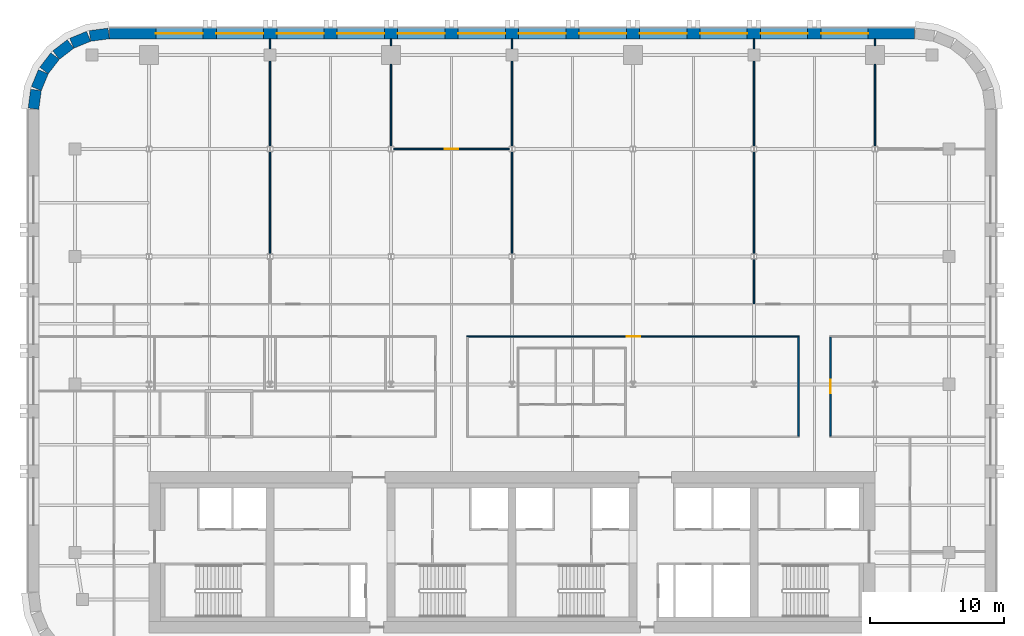
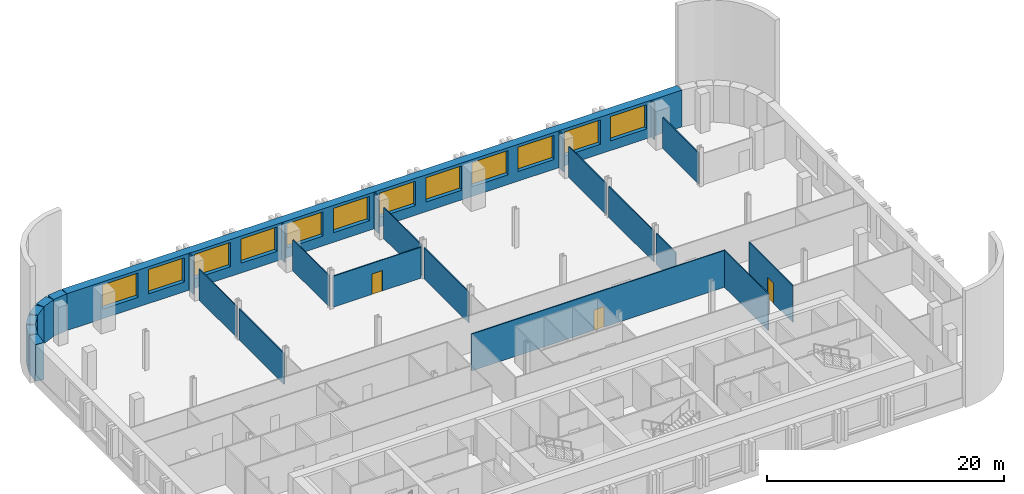
# One storey, part 6 of 9: 25 walls, 12 windows, 3 doors, 15 openings.
"""IFC4 building model written with IfcOpenShell, lengths in metres."""

from ifc_helpers import new_model, si_unit, direction, frame, frame_2d, origin, place, context, subcontext, project, spatial, rectangle, extrude, material, layer, layer_set, type_object, element, fill, save


model = new_model("IFC4")

# Units and contexts
model_context = context("Model", 3, precision=1e-05, world=origin(), true_north=direction((0.0, 1.0)))
body_context = subcontext(model_context, "Body", "Model", "MODEL_VIEW")
ifc_project = project(units=[si_unit("LENGTHUNIT", "METRE"), si_unit("AREAUNIT", "SQUARE_METRE"), si_unit("VOLUMEUNIT", "CUBIC_METRE"), si_unit("PLANEANGLEUNIT", "RADIAN"), si_unit("MASSUNIT", "GRAM", prefix="KILO")], contexts=[model_context])

# Site, building, storey
site_placement = place(None, origin())
site = spatial("IfcSite", under=ifc_project, at=site_placement, CompositionType="ELEMENT")
building_placement = place(site_placement, origin())
building = spatial("IfcBuilding", under=site, at=building_placement, Name="Zellij Exchange Tower", CompositionType="ELEMENT")
storey_placement = place(building_placement, frame((0.0, 0.0, 200.5)))
storey = spatial("IfcBuildingStorey", under=building, at=storey_placement, Name="L46", CompositionType="ELEMENT", Elevation=200.5)

# Wall, openings, windows
ifc_material_1 = material(Name="Precast concrete C40/50", Category="concrete")
ifc_layer_1 = layer(ifc_material_1, 0.800048828125)
ifc_layer_set_1 = layer_set([ifc_layer_1], Name="Precast concrete C40/50")
wall_type_1 = type_object("IfcWallType", Name="ENV-EW1 Precast stone-piered wall 800", PredefinedType="SOLIDWALL", material=ifc_layer_set_1)
wall_1_placement = place(storey_placement, frame((29.947509765625, 30.60009765625, 0.0), z_axis=(0.0, 0.0, 1.0), x_axis=(-1.0, 0.0, 0.0)))
wall_1 = element("IfcWall", 1, at=wall_1_placement, inside=storey, type_object=wall_type_1, Name="fac.L46.14", PredefinedType="SOLIDWALL", context=body_context, shape_type="SweptSolid", body=[
    extrude(rectangle(XDim=59.89501953125, YDim=0.800048828125, at=frame_2d((29.947509765625, 0.0))), origin(), (0.0, 0.0, 1.0), 3.800048828125),
])
opening_1_placement = place(wall_1_placement, frame((3.447509765625, 0.0, 1.0)))
opening_1 = element("IfcOpeningElement", 2, at=opening_1_placement, cuts=wall_1, Name="Opening FZ3.19", PredefinedType="OPENING", context=body_context, shape_type="SweptSolid", body=[
    extrude(rectangle(XDim=3.5, YDim=2.5, at=frame_2d((1.75, 1.25))), frame((0.0, 0.412109375, 0.0), z_axis=(0.0, -1.0, 0.0), x_axis=(1.0, 0.0, 0.0)), (0.0, 0.0, 1.0), 0.823974609375),
])
opening_2_placement = place(wall_1_placement, frame((7.947509765625, 0.0, 1.0)))
opening_2 = element("IfcOpeningElement", 3, at=opening_2_placement, cuts=wall_1, Name="Opening FZ3.20", PredefinedType="OPENING", context=body_context, shape_type="SweptSolid", body=[
    extrude(rectangle(XDim=3.5, YDim=2.5, at=frame_2d((1.75, 1.25))), frame((0.0, 0.412109375, 0.0), z_axis=(0.0, -1.0, 0.0), x_axis=(1.0, 0.0, 0.0)), (0.0, 0.0, 1.0), 0.823974609375),
])
opening_3_placement = place(wall_1_placement, frame((12.447509765625, 0.0, 1.0)))
opening_3 = element("IfcOpeningElement", 4, at=opening_3_placement, cuts=wall_1, Name="Opening FZ3.21", PredefinedType="OPENING", context=body_context, shape_type="SweptSolid", body=[
    extrude(rectangle(XDim=3.5, YDim=2.5, at=frame_2d((1.75, 1.25))), frame((0.0, 0.412109375, 0.0), z_axis=(0.0, -1.0, 0.0), x_axis=(1.0, 0.0, 0.0)), (0.0, 0.0, 1.0), 0.823974609375),
])
opening_4_placement = place(wall_1_placement, frame((16.947509765625, 0.0, 1.0)))
opening_4 = element("IfcOpeningElement", 5, at=opening_4_placement, cuts=wall_1, Name="Opening FZ3.22", PredefinedType="OPENING", context=body_context, shape_type="SweptSolid", body=[
    extrude(rectangle(XDim=3.5, YDim=2.5, at=frame_2d((1.75, 1.25))), frame((0.0, 0.412109375, 0.0), z_axis=(0.0, -1.0, 0.0), x_axis=(1.0, 0.0, 0.0)), (0.0, 0.0, 1.0), 0.823974609375),
])
opening_5_placement = place(wall_1_placement, frame((21.447509765625, 0.0, 1.0)))
opening_5 = element("IfcOpeningElement", 6, at=opening_5_placement, cuts=wall_1, Name="Opening FZ3.23", PredefinedType="OPENING", context=body_context, shape_type="SweptSolid", body=[
    extrude(rectangle(XDim=3.5, YDim=2.5, at=frame_2d((1.75, 1.25))), frame((0.0, 0.412109375, 0.0), z_axis=(0.0, -1.0, 0.0), x_axis=(1.0, 0.0, 0.0)), (0.0, 0.0, 1.0), 0.823974609375),
])
opening_6_placement = place(wall_1_placement, frame((25.947509765625, 0.0, 1.0)))
opening_6 = element("IfcOpeningElement", 7, at=opening_6_placement, cuts=wall_1, Name="Opening FZ3.24", PredefinedType="OPENING", context=body_context, shape_type="SweptSolid", body=[
    extrude(rectangle(XDim=3.5, YDim=2.5, at=frame_2d((1.75, 1.25))), frame((0.0, 0.412109375, 0.0), z_axis=(0.0, -1.0, 0.0), x_axis=(1.0, 0.0, 0.0)), (0.0, 0.0, 1.0), 0.823974609375),
])
opening_7_placement = place(wall_1_placement, frame((30.447509765625, 0.0, 1.0)))
opening_7 = element("IfcOpeningElement", 8, at=opening_7_placement, cuts=wall_1, Name="Opening FZ3.25", PredefinedType="OPENING", context=body_context, shape_type="SweptSolid", body=[
    extrude(rectangle(XDim=3.5, YDim=2.5, at=frame_2d((1.75, 1.25))), frame((0.0, 0.412109375, 0.0), z_axis=(0.0, -1.0, 0.0), x_axis=(1.0, 0.0, 0.0)), (0.0, 0.0, 1.0), 0.823974609375),
])
opening_8_placement = place(wall_1_placement, frame((34.947509765625, 0.0, 1.0)))
opening_8 = element("IfcOpeningElement", 9, at=opening_8_placement, cuts=wall_1, Name="Opening FZ3.26", PredefinedType="OPENING", context=body_context, shape_type="SweptSolid", body=[
    extrude(rectangle(XDim=3.5, YDim=2.5, at=frame_2d((1.75, 1.25))), frame((0.0, 0.412109375, 0.0), z_axis=(0.0, -1.0, 0.0), x_axis=(1.0, 0.0, 0.0)), (0.0, 0.0, 1.0), 0.823974609375),
])
opening_9_placement = place(wall_1_placement, frame((39.447509765625, 0.0, 1.0)))
opening_9 = element("IfcOpeningElement", 10, at=opening_9_placement, cuts=wall_1, Name="Opening FZ3.27", PredefinedType="OPENING", context=body_context, shape_type="SweptSolid", body=[
    extrude(rectangle(XDim=3.5, YDim=2.5, at=frame_2d((1.75, 1.25))), frame((0.0, 0.412109375, 0.0), z_axis=(0.0, -1.0, 0.0), x_axis=(1.0, 0.0, 0.0)), (0.0, 0.0, 1.0), 0.823974609375),
])
opening_10_placement = place(wall_1_placement, frame((43.947509765625, 0.0, 1.0)))
opening_10 = element("IfcOpeningElement", 11, at=opening_10_placement, cuts=wall_1, Name="Opening FZ3.28", PredefinedType="OPENING", context=body_context, shape_type="SweptSolid", body=[
    extrude(rectangle(XDim=3.5, YDim=2.5, at=frame_2d((1.75, 1.25))), frame((0.0, 0.412109375, 0.0), z_axis=(0.0, -1.0, 0.0), x_axis=(1.0, 0.0, 0.0)), (0.0, 0.0, 1.0), 0.823974609375),
])
opening_11_placement = place(wall_1_placement, frame((48.447509765625, 0.0, 1.0)))
opening_11 = element("IfcOpeningElement", 12, at=opening_11_placement, cuts=wall_1, Name="Opening FZ3.29", PredefinedType="OPENING", context=body_context, shape_type="SweptSolid", body=[
    extrude(rectangle(XDim=3.5, YDim=2.5, at=frame_2d((1.75, 1.25))), frame((0.0, 0.412109375, 0.0), z_axis=(0.0, -1.0, 0.0), x_axis=(1.0, 0.0, 0.0)), (0.0, 0.0, 1.0), 0.823974609375),
])
opening_12_placement = place(wall_1_placement, frame((52.947509765625, 0.0, 1.0)))
opening_12 = element("IfcOpeningElement", 13, at=opening_12_placement, cuts=wall_1, Name="Opening FZ3.30", PredefinedType="OPENING", context=body_context, shape_type="SweptSolid", body=[
    extrude(rectangle(XDim=3.5, YDim=2.5, at=frame_2d((1.75, 1.25))), frame((0.0, 0.412109375, 0.0), z_axis=(0.0, -1.0, 0.0), x_axis=(1.0, 0.0, 0.0)), (0.0, 0.0, 1.0), 0.823974609375),
])
ifc_material_2 = material(Name="Aluminium frame with insulating glass", Category="aluminium")
window_type = type_object("IfcWindowType", Name="ENV-W1 Window 3500x2500", PartitioningType="SINGLE_PANEL", PredefinedType="WINDOW", material=ifc_material_2)
window_1_placement = place(opening_1_placement, origin())
window_1 = element("IfcWindow", 14, at=window_1_placement, inside=storey, type_object=window_type, Name="Window FZ3.19", OverallHeight=2.5, OverallWidth=3.5, PartitioningType="SINGLE_PANEL", PredefinedType="WINDOW", context=body_context, shape_type="SweptSolid", body=[
    extrude(rectangle(XDim=3.5, YDim=2.5, at=frame_2d((1.75, 1.25))), frame((0.0, 0.030029296875, 0.0), z_axis=(0.0, -1.0, 0.0), x_axis=(1.0, 0.0, 0.0)), (0.0, 0.0, 1.0), 0.06005859375),
])
fill(opening_1, window_1)
window_2_placement = place(opening_2_placement, origin())
window_2 = element("IfcWindow", 15, at=window_2_placement, inside=storey, type_object=window_type, Name="Window FZ3.20", OverallHeight=2.5, OverallWidth=3.5, PartitioningType="SINGLE_PANEL", PredefinedType="WINDOW", context=body_context, shape_type="SweptSolid", body=[
    extrude(rectangle(XDim=3.5, YDim=2.5, at=frame_2d((1.75, 1.25))), frame((0.0, 0.030029296875, 0.0), z_axis=(0.0, -1.0, 0.0), x_axis=(1.0, 0.0, 0.0)), (0.0, 0.0, 1.0), 0.06005859375),
])
fill(opening_2, window_2)
window_3_placement = place(opening_3_placement, origin())
window_3 = element("IfcWindow", 16, at=window_3_placement, inside=storey, type_object=window_type, Name="Window FZ3.21", OverallHeight=2.5, OverallWidth=3.5, PartitioningType="SINGLE_PANEL", PredefinedType="WINDOW", context=body_context, shape_type="SweptSolid", body=[
    extrude(rectangle(XDim=3.5, YDim=2.5, at=frame_2d((1.75, 1.25))), frame((0.0, 0.030029296875, 0.0), z_axis=(0.0, -1.0, 0.0), x_axis=(1.0, 0.0, 0.0)), (0.0, 0.0, 1.0), 0.06005859375),
])
fill(opening_3, window_3)
window_4_placement = place(opening_4_placement, origin())
window_4 = element("IfcWindow", 17, at=window_4_placement, inside=storey, type_object=window_type, Name="Window FZ3.22", OverallHeight=2.5, OverallWidth=3.5, PartitioningType="SINGLE_PANEL", PredefinedType="WINDOW", context=body_context, shape_type="SweptSolid", body=[
    extrude(rectangle(XDim=3.5, YDim=2.5, at=frame_2d((1.75, 1.25))), frame((0.0, 0.030029296875, 0.0), z_axis=(0.0, -1.0, 0.0), x_axis=(1.0, 0.0, 0.0)), (0.0, 0.0, 1.0), 0.06005859375),
])
fill(opening_4, window_4)
window_5_placement = place(opening_5_placement, origin())
window_5 = element("IfcWindow", 18, at=window_5_placement, inside=storey, type_object=window_type, Name="Window FZ3.23", OverallHeight=2.5, OverallWidth=3.5, PartitioningType="SINGLE_PANEL", PredefinedType="WINDOW", context=body_context, shape_type="SweptSolid", body=[
    extrude(rectangle(XDim=3.5, YDim=2.5, at=frame_2d((1.75, 1.25))), frame((0.0, 0.030029296875, 0.0), z_axis=(0.0, -1.0, 0.0), x_axis=(1.0, 0.0, 0.0)), (0.0, 0.0, 1.0), 0.06005859375),
])
fill(opening_5, window_5)
window_6_placement = place(opening_6_placement, origin())
window_6 = element("IfcWindow", 19, at=window_6_placement, inside=storey, type_object=window_type, Name="Window FZ3.24", OverallHeight=2.5, OverallWidth=3.5, PartitioningType="SINGLE_PANEL", PredefinedType="WINDOW", context=body_context, shape_type="SweptSolid", body=[
    extrude(rectangle(XDim=3.5, YDim=2.5, at=frame_2d((1.75, 1.25))), frame((0.0, 0.030029296875, 0.0), z_axis=(0.0, -1.0, 0.0), x_axis=(1.0, 0.0, 0.0)), (0.0, 0.0, 1.0), 0.06005859375),
])
fill(opening_6, window_6)
window_7_placement = place(opening_7_placement, origin())
window_7 = element("IfcWindow", 20, at=window_7_placement, inside=storey, type_object=window_type, Name="Window FZ3.25", OverallHeight=2.5, OverallWidth=3.5, PartitioningType="SINGLE_PANEL", PredefinedType="WINDOW", context=body_context, shape_type="SweptSolid", body=[
    extrude(rectangle(XDim=3.5, YDim=2.5, at=frame_2d((1.75, 1.25))), frame((0.0, 0.030029296875, 0.0), z_axis=(0.0, -1.0, 0.0), x_axis=(1.0, 0.0, 0.0)), (0.0, 0.0, 1.0), 0.06005859375),
])
fill(opening_7, window_7)
window_8_placement = place(opening_8_placement, origin())
window_8 = element("IfcWindow", 21, at=window_8_placement, inside=storey, type_object=window_type, Name="Window FZ3.26", OverallHeight=2.5, OverallWidth=3.5, PartitioningType="SINGLE_PANEL", PredefinedType="WINDOW", context=body_context, shape_type="SweptSolid", body=[
    extrude(rectangle(XDim=3.5, YDim=2.5, at=frame_2d((1.75, 1.25))), frame((0.0, 0.030029296875, 0.0), z_axis=(0.0, -1.0, 0.0), x_axis=(1.0, 0.0, 0.0)), (0.0, 0.0, 1.0), 0.06005859375),
])
fill(opening_8, window_8)
window_9_placement = place(opening_9_placement, origin())
window_9 = element("IfcWindow", 22, at=window_9_placement, inside=storey, type_object=window_type, Name="Window FZ3.27", OverallHeight=2.5, OverallWidth=3.5, PartitioningType="SINGLE_PANEL", PredefinedType="WINDOW", context=body_context, shape_type="SweptSolid", body=[
    extrude(rectangle(XDim=3.5, YDim=2.5, at=frame_2d((1.75, 1.25))), frame((0.0, 0.030029296875, 0.0), z_axis=(0.0, -1.0, 0.0), x_axis=(1.0, 0.0, 0.0)), (0.0, 0.0, 1.0), 0.06005859375),
])
fill(opening_9, window_9)
window_10_placement = place(opening_10_placement, origin())
window_10 = element("IfcWindow", 23, at=window_10_placement, inside=storey, type_object=window_type, Name="Window FZ3.28", OverallHeight=2.5, OverallWidth=3.5, PartitioningType="SINGLE_PANEL", PredefinedType="WINDOW", context=body_context, shape_type="SweptSolid", body=[
    extrude(rectangle(XDim=3.5, YDim=2.5, at=frame_2d((1.75, 1.25))), frame((0.0, 0.030029296875, 0.0), z_axis=(0.0, -1.0, 0.0), x_axis=(1.0, 0.0, 0.0)), (0.0, 0.0, 1.0), 0.06005859375),
])
fill(opening_10, window_10)
window_11_placement = place(opening_11_placement, origin())
window_11 = element("IfcWindow", 24, at=window_11_placement, inside=storey, type_object=window_type, Name="Window FZ3.29", OverallHeight=2.5, OverallWidth=3.5, PartitioningType="SINGLE_PANEL", PredefinedType="WINDOW", context=body_context, shape_type="SweptSolid", body=[
    extrude(rectangle(XDim=3.5, YDim=2.5, at=frame_2d((1.75, 1.25))), frame((0.0, 0.030029296875, 0.0), z_axis=(0.0, -1.0, 0.0), x_axis=(1.0, 0.0, 0.0)), (0.0, 0.0, 1.0), 0.06005859375),
])
fill(opening_11, window_11)
window_12_placement = place(opening_12_placement, origin())
window_12 = element("IfcWindow", 25, at=window_12_placement, inside=storey, type_object=window_type, Name="Window FZ3.30", OverallHeight=2.5, OverallWidth=3.5, PartitioningType="SINGLE_PANEL", PredefinedType="WINDOW", context=body_context, shape_type="SweptSolid", body=[
    extrude(rectangle(XDim=3.5, YDim=2.5, at=frame_2d((1.75, 1.25))), frame((0.0, 0.030029296875, 0.0), z_axis=(0.0, -1.0, 0.0), x_axis=(1.0, 0.0, 0.0)), (0.0, 0.0, 1.0), 0.06005859375),
])
fill(opening_12, window_12)

# Walls
wall_2_placement = place(storey_placement, frame((-29.999755859375, 30.5966796875, 0.0), z_axis=(0.0, 0.0, 1.0), x_axis=(-0.99144603414, -0.130517283865, 0.0)))
element("IfcWall", 26, at=wall_2_placement, inside=storey, type_object=wall_type_1, Name="fac.L46.15", PredefinedType="SOLIDWALL", context=body_context, shape_type="SweptSolid", body=[
    extrude(rectangle(XDim=1.408447265625, YDim=0.800048828125, at=frame_2d((0.7041015625, 0.0))), origin(), (0.0, 0.0, 1.0), 3.800048828125),
])
wall_3_placement = place(storey_placement, frame((-31.497314453125, 30.3857421875, 0.0), z_axis=(0.0, 0.0, 1.0), x_axis=(-0.923847774587, -0.38276009378, 0.0)))
element("IfcWall", 27, at=wall_3_placement, inside=storey, type_object=wall_type_1, Name="fac.L46.16", PredefinedType="SOLIDWALL", context=body_context, shape_type="SweptSolid", body=[
    extrude(rectangle(XDim=1.35546875, YDim=0.800048828125, at=frame_2d((0.677734375, 0.0))), origin(), (0.0, 0.0, 1.0), 3.800048828125),
])
for number, where, z_axis, x_axis, name in (
    (28, (-32.840087890625, 29.814697265625, 0.0), (0.0, 0.0, 1.0), (-0.793272915452, -0.608866226366, 0.0), "fac.L46.17"),
    (29, (-33.9892578125, 28.91552734375, 0.0), (0.0, 0.0, 1.0), (-0.608866226366, -0.793272915452, 0.0), "fac.L46.18"),
):
    element("IfcWall", number, at=place(storey_placement, frame(where, z_axis=z_axis, x_axis=x_axis)), inside=storey, type_object=wall_type_1, Name=name, PredefinedType="SOLIDWALL", context=body_context, shape_type="SweptSolid", body=[
        extrude(rectangle(XDim=1.355712890625, YDim=0.800048828125, at=frame_2d((0.677734375, 0.0))), origin(), (0.0, 0.0, 1.0), 3.800048828125),
    ])
wall_4_placement = place(storey_placement, frame((-34.866943359375, 27.74951171875, 0.0), z_axis=(0.0, 0.0, 1.0), x_axis=(-0.38276009378, -0.923847774587, 0.0)))
element("IfcWall", 30, at=wall_4_placement, inside=storey, type_object=wall_type_1, Name="fac.L46.19", PredefinedType="SOLIDWALL", context=body_context, shape_type="SweptSolid", body=[
    extrude(rectangle(XDim=1.35546875, YDim=0.800048828125, at=frame_2d((0.677734375, 0.0))), origin(), (0.0, 0.0, 1.0), 3.800048828125),
])
wall_5_placement = place(storey_placement, frame((-35.412841796875, 26.396240234375, 0.0), z_axis=(0.0, 0.0, 1.0), x_axis=(-0.130517283865, -0.99144603414, 0.0)))
element("IfcWall", 31, at=wall_5_placement, inside=storey, type_object=wall_type_1, Name="fac.L46.20", PredefinedType="SOLIDWALL", context=body_context, shape_type="SweptSolid", body=[
    extrude(rectangle(XDim=1.408447265625, YDim=0.800048828125, at=frame_2d((0.7041015625, 0.0))), origin(), (0.0, 0.0, 1.0), 3.800048828125),
])
ifc_material_3 = material(Name="Gypsum board partition on steel studs", Category="steel")
ifc_layer_2 = layer(ifc_material_3, 0.10009765625)
ifc_layer_set_2 = layer_set([ifc_layer_2], Name="Gypsum board partition on steel studs")
wall_type_2 = type_object("IfcWallType", Name="FIT-PARTITION-100", PredefinedType="PARTITIONING", material=ifc_layer_set_2)
wall_6_placement = place(storey_placement, frame((21.300048828125, 0.64990234375, 0.0), z_axis=(0.0, 0.0, 1.0), x_axis=(0.0, 1.0, 0.0)))
element("IfcWall", 32, at=wall_6_placement, inside=storey, type_object=wall_type_2, Name="FIT-PARTITION-100 017", PredefinedType="PARTITIONING", context=body_context, shape_type="SweptSolid", body=[
    extrude(rectangle(XDim=7.35009765625, YDim=0.10009765625, at=frame_2d((3.675048828125, 0.0))), origin(), (0.0, 0.0, 1.0), 3.800048828125),
])

# Wall, opening, door
wall_7_placement = place(storey_placement, frame((23.699951171875, 0.64990234375, 0.0), z_axis=(0.0, 0.0, 1.0), x_axis=(0.0, 1.0, 0.0)))
wall_7 = element("IfcWall", 33, at=wall_7_placement, inside=storey, type_object=wall_type_2, Name="FIT-PARTITION-100 019", PredefinedType="PARTITIONING", context=body_context, shape_type="SweptSolid", body=[
    extrude(rectangle(XDim=7.35009765625, YDim=0.10009765625, at=frame_2d((3.675048828125, 0.0))), origin(), (0.0, 0.0, 1.0), 3.800048828125),
])
opening_13_placement = place(wall_7_placement, frame((3.199951171875, 0.0, 0.0)))
opening_13 = element("IfcOpeningElement", 34, at=opening_13_placement, cuts=wall_7, Name="Opening O3D.12", PredefinedType="OPENING", context=body_context, shape_type="SweptSolid", body=[
    extrude(rectangle(XDim=1.0, YDim=2.10009765625, at=frame_2d((0.5, 1.050048828125))), frame((0.0, 0.06201171875, 0.0), z_axis=(0.0, -1.0, 0.0), x_axis=(1.0, 0.0, 0.0)), (0.0, 0.0, 1.0), 0.1240234375),
])
ifc_material_4 = material(Name="Timber door set", Category="wood")
door_type = type_object("IfcDoorType", Name="FIT-D2-WIDE-1000X2100", OperationType="SINGLE_SWING_LEFT", PredefinedType="DOOR", material=ifc_material_4)
door_1_placement = place(opening_13_placement, origin())
door_1 = element("IfcDoor", 35, at=door_1_placement, inside=storey, type_object=door_type, Name="Door O3D.12", OperationType="SINGLE_SWING_RIGHT", OverallHeight=2.10009765625, OverallWidth=1.0, PredefinedType="DOOR", context=body_context, shape_type="SweptSolid", body=[
    extrude(rectangle(XDim=1.0, YDim=2.10009765625, at=frame_2d((0.5, 1.050048828125))), frame((0.0, 0.02490234375, 0.0), z_axis=(0.0, -1.0, 0.0), x_axis=(1.0, 0.0, 0.0)), (0.0, 0.0, 1.0), 0.050048828125),
])
fill(opening_13, door_1)

wall_8_placement = place(storey_placement, frame((-3.35009765625, 8.050048828125, 0.0), z_axis=(0.0, 0.0, 1.0), x_axis=(1.0, 0.0, 0.0)))
wall_8 = element("IfcWall", 36, at=wall_8_placement, inside=storey, type_object=wall_type_2, Name="FIT-PARTITION-100 034", PredefinedType="PARTITIONING", context=body_context, shape_type="SweptSolid", body=[
    extrude(rectangle(XDim=24.7001953125, YDim=0.10009765625, at=frame_2d((12.35009765625, 0.0))), origin(), (0.0, 0.0, 1.0), 3.800048828125),
])
opening_14_placement = place(wall_8_placement, frame((11.89990234375, 0.0, 0.0)))
opening_14 = element("IfcOpeningElement", 37, at=opening_14_placement, cuts=wall_8, Name="Opening O3D.17", PredefinedType="OPENING", context=body_context, shape_type="SweptSolid", body=[
    extrude(rectangle(XDim=1.0, YDim=2.10009765625, at=frame_2d((0.5, 1.050048828125))), frame((0.0, 0.06201171875, 0.0), z_axis=(0.0, -1.0, 0.0), x_axis=(1.0, 0.0, 0.0)), (0.0, 0.0, 1.0), 0.1240234375),
])
door_2_placement = place(opening_14_placement, origin())
door_2 = element("IfcDoor", 38, at=door_2_placement, inside=storey, type_object=door_type, Name="Door O3D.17", OperationType="SINGLE_SWING_RIGHT", OverallHeight=2.10009765625, OverallWidth=1.0, PredefinedType="DOOR", context=body_context, shape_type="SweptSolid", body=[
    extrude(rectangle(XDim=1.0, YDim=2.10009765625, at=frame_2d((0.5, 1.050048828125))), frame((0.0, 0.02490234375, 0.0), z_axis=(0.0, -1.0, 0.0), x_axis=(1.0, 0.0, 0.0)), (0.0, 0.0, 1.0), 0.050048828125),
])
fill(opening_14, door_2)

# Walls
wall_9_placement = place(storey_placement, frame((-18.0, 14.212158203125, 0.0), z_axis=(0.0, 0.0, 1.0), x_axis=(0.0, 1.0, 0.0)))
element("IfcWall", 39, at=wall_9_placement, inside=storey, type_object=wall_type_2, Name="FIT-PARTITION-100 039", PredefinedType="PARTITIONING", context=body_context, shape_type="SweptSolid", body=[
    extrude(rectangle(XDim=7.57568359375, YDim=0.10009765625, at=frame_2d((3.787841796875, 0.0))), origin(), (0.0, 0.0, 1.0), 3.19287109375),
])
wall_10_placement = place(storey_placement, frame((-18.0, 22.212158203125, 0.0), z_axis=(0.0, 0.0, 1.0), x_axis=(0.0, 1.0, 0.0)))
element("IfcWall", 40, at=wall_10_placement, inside=storey, type_object=wall_type_2, Name="FIT-PARTITION-100 040", PredefinedType="PARTITIONING", context=body_context, shape_type="SweptSolid", body=[
    extrude(rectangle(XDim=6.337890625, YDim=0.10009765625, at=frame_2d((3.1689453125, 0.0))), origin(), (0.0, 0.0, 1.0), 3.19287109375),
])
wall_11_placement = place(storey_placement, frame((-18.0, 29.449951171875, 0.0), z_axis=(0.0, 0.0, 1.0), x_axis=(0.0, 1.0, 0.0)))
element("IfcWall", 41, at=wall_11_placement, inside=storey, type_object=wall_type_2, Name="FIT-PARTITION-100 041", PredefinedType="PARTITIONING", context=body_context, shape_type="SweptSolid", body=[
    extrude(rectangle(XDim=0.75, YDim=0.10009765625, at=frame_2d((0.375, 0.0))), origin(), (0.0, 0.0, 1.0), 3.800048828125),
])
wall_12_placement = place(storey_placement, frame((0.0, 14.212158203125, 0.0), z_axis=(0.0, 0.0, 1.0), x_axis=(0.0, 1.0, 0.0)))
element("IfcWall", 42, at=wall_12_placement, inside=storey, type_object=wall_type_2, Name="FIT-PARTITION-100 043", PredefinedType="PARTITIONING", context=body_context, shape_type="SweptSolid", body=[
    extrude(rectangle(XDim=7.57568359375, YDim=0.10009765625, at=frame_2d((3.787841796875, 0.0))), origin(), (0.0, 0.0, 1.0), 3.19287109375),
])
wall_13_placement = place(storey_placement, frame((0.0, 22.212158203125, 0.0), z_axis=(0.0, 0.0, 1.0), x_axis=(0.0, 1.0, 0.0)))
element("IfcWall", 43, at=wall_13_placement, inside=storey, type_object=wall_type_2, Name="FIT-PARTITION-100 044", PredefinedType="PARTITIONING", context=body_context, shape_type="SweptSolid", body=[
    extrude(rectangle(XDim=6.337890625, YDim=0.10009765625, at=frame_2d((3.1689453125, 0.0))), origin(), (0.0, 0.0, 1.0), 3.19287109375),
])
wall_14_placement = place(storey_placement, frame((0.0, 29.449951171875, 0.0), z_axis=(0.0, 0.0, 1.0), x_axis=(0.0, 1.0, 0.0)))
element("IfcWall", 44, at=wall_14_placement, inside=storey, type_object=wall_type_2, Name="FIT-PARTITION-100 045", PredefinedType="PARTITIONING", context=body_context, shape_type="SweptSolid", body=[
    extrude(rectangle(XDim=0.75, YDim=0.10009765625, at=frame_2d((0.375, 0.0))), origin(), (0.0, 0.0, 1.0), 3.800048828125),
])
wall_15_placement = place(storey_placement, frame((18.0, 10.5, 0.0), z_axis=(0.0, 0.0, 1.0), x_axis=(0.0, 1.0, 0.0)))
element("IfcWall", 45, at=wall_15_placement, inside=storey, type_object=wall_type_2, Name="FIT-PARTITION-100 046", PredefinedType="PARTITIONING", context=body_context, shape_type="SweptSolid", body=[
    extrude(rectangle(XDim=3.287841796875, YDim=0.10009765625, at=frame_2d((1.64404296875, 0.0))), origin(), (0.0, 0.0, 1.0), 3.19287109375),
])
wall_16_placement = place(storey_placement, frame((18.0, 14.212158203125, 0.0), z_axis=(0.0, 0.0, 1.0), x_axis=(0.0, 1.0, 0.0)))
element("IfcWall", 46, at=wall_16_placement, inside=storey, type_object=wall_type_2, Name="FIT-PARTITION-100 047", PredefinedType="PARTITIONING", context=body_context, shape_type="SweptSolid", body=[
    extrude(rectangle(XDim=7.57568359375, YDim=0.10009765625, at=frame_2d((3.787841796875, 0.0))), origin(), (0.0, 0.0, 1.0), 3.19287109375),
])
wall_17_placement = place(storey_placement, frame((18.0, 22.212158203125, 0.0), z_axis=(0.0, 0.0, 1.0), x_axis=(0.0, 1.0, 0.0)))
element("IfcWall", 47, at=wall_17_placement, inside=storey, type_object=wall_type_2, Name="FIT-PARTITION-100 048", PredefinedType="PARTITIONING", context=body_context, shape_type="SweptSolid", body=[
    extrude(rectangle(XDim=6.337890625, YDim=0.10009765625, at=frame_2d((3.1689453125, 0.0))), origin(), (0.0, 0.0, 1.0), 3.19287109375),
])
wall_18_placement = place(storey_placement, frame((18.0, 29.449951171875, 0.0), z_axis=(0.0, 0.0, 1.0), x_axis=(0.0, 1.0, 0.0)))
element("IfcWall", 48, at=wall_18_placement, inside=storey, type_object=wall_type_2, Name="FIT-PARTITION-100 049", PredefinedType="PARTITIONING", context=body_context, shape_type="SweptSolid", body=[
    extrude(rectangle(XDim=0.75, YDim=0.10009765625, at=frame_2d((0.375, 0.0))), origin(), (0.0, 0.0, 1.0), 3.800048828125),
])

# Wall, opening, door
wall_19_placement = place(storey_placement, frame((-8.79541015625, 22.0, 0.0), z_axis=(0.0, 0.0, 1.0), x_axis=(1.0, 0.0, 0.0)))
wall_19 = element("IfcWall", 49, at=wall_19_placement, inside=storey, type_object=wall_type_2, Name="FIT-PARTITION-100 050", PredefinedType="PARTITIONING", context=body_context, shape_type="SweptSolid", body=[
    extrude(rectangle(XDim=8.5908203125, YDim=0.10009765625, at=frame_2d((4.29541015625, 0.0))), origin(), (0.0, 0.0, 1.0), 3.19287109375),
])
opening_15_placement = place(wall_19_placement, frame((3.79541015625, 0.0, 0.0)))
opening_15 = element("IfcOpeningElement", 50, at=opening_15_placement, cuts=wall_19, Name="Opening O3D.22", PredefinedType="OPENING", context=body_context, shape_type="SweptSolid", body=[
    extrude(rectangle(XDim=1.0, YDim=2.10009765625, at=frame_2d((0.5, 1.050048828125))), frame((0.0, 0.06201171875, 0.0), z_axis=(0.0, -1.0, 0.0), x_axis=(1.0, 0.0, 0.0)), (0.0, 0.0, 1.0), 0.1240234375),
])
door_3_placement = place(opening_15_placement, origin())
door_3 = element("IfcDoor", 51, at=door_3_placement, inside=storey, type_object=door_type, Name="Door O3D.22", OperationType="SINGLE_SWING_RIGHT", OverallHeight=2.10009765625, OverallWidth=1.0, PredefinedType="DOOR", context=body_context, shape_type="SweptSolid", body=[
    extrude(rectangle(XDim=1.0, YDim=2.10009765625, at=frame_2d((0.5, 1.050048828125))), frame((0.0, 0.02490234375, 0.0), z_axis=(0.0, -1.0, 0.0), x_axis=(1.0, 0.0, 0.0)), (0.0, 0.0, 1.0), 0.050048828125),
])
fill(opening_15, door_3)

# Walls
wall_20_placement = place(storey_placement, frame((-9.0, 22.212158203125, 0.0), z_axis=(0.0, 0.0, 1.0), x_axis=(0.0, 1.0, 0.0)))
element("IfcWall", 52, at=wall_20_placement, inside=storey, type_object=wall_type_2, Name="FIT-PARTITION-100 051", PredefinedType="PARTITIONING", context=body_context, shape_type="SweptSolid", body=[
    extrude(rectangle(XDim=6.087890625, YDim=0.10009765625, at=frame_2d((3.0439453125, 0.0))), origin(), (0.0, 0.0, 1.0), 3.19287109375),
])
wall_21_placement = place(storey_placement, frame((-9.0, 29.699951171875, 0.0), z_axis=(0.0, 0.0, 1.0), x_axis=(0.0, 1.0, 0.0)))
element("IfcWall", 53, at=wall_21_placement, inside=storey, type_object=wall_type_2, Name="FIT-PARTITION-100 052", PredefinedType="PARTITIONING", context=body_context, shape_type="SweptSolid", body=[
    extrude(rectangle(XDim=0.5, YDim=0.10009765625, at=frame_2d((0.25, 0.0))), origin(), (0.0, 0.0, 1.0), 3.800048828125),
])
wall_22_placement = place(storey_placement, frame((27.0, 22.212158203125, 0.0), z_axis=(0.0, 0.0, 1.0), x_axis=(0.0, 1.0, 0.0)))
element("IfcWall", 54, at=wall_22_placement, inside=storey, type_object=wall_type_2, Name="FIT-PARTITION-100 055", PredefinedType="PARTITIONING", context=body_context, shape_type="SweptSolid", body=[
    extrude(rectangle(XDim=6.087890625, YDim=0.10009765625, at=frame_2d((3.0439453125, 0.0))), origin(), (0.0, 0.0, 1.0), 3.19287109375),
])
wall_23_placement = place(storey_placement, frame((27.0, 29.699951171875, 0.0), z_axis=(0.0, 0.0, 1.0), x_axis=(0.0, 1.0, 0.0)))
element("IfcWall", 55, at=wall_23_placement, inside=storey, type_object=wall_type_2, Name="FIT-PARTITION-100 056", PredefinedType="PARTITIONING", context=body_context, shape_type="SweptSolid", body=[
    extrude(rectangle(XDim=0.5, YDim=0.10009765625, at=frame_2d((0.25, 0.0))), origin(), (0.0, 0.0, 1.0), 3.800048828125),
])

save(model, "model.ifc")
